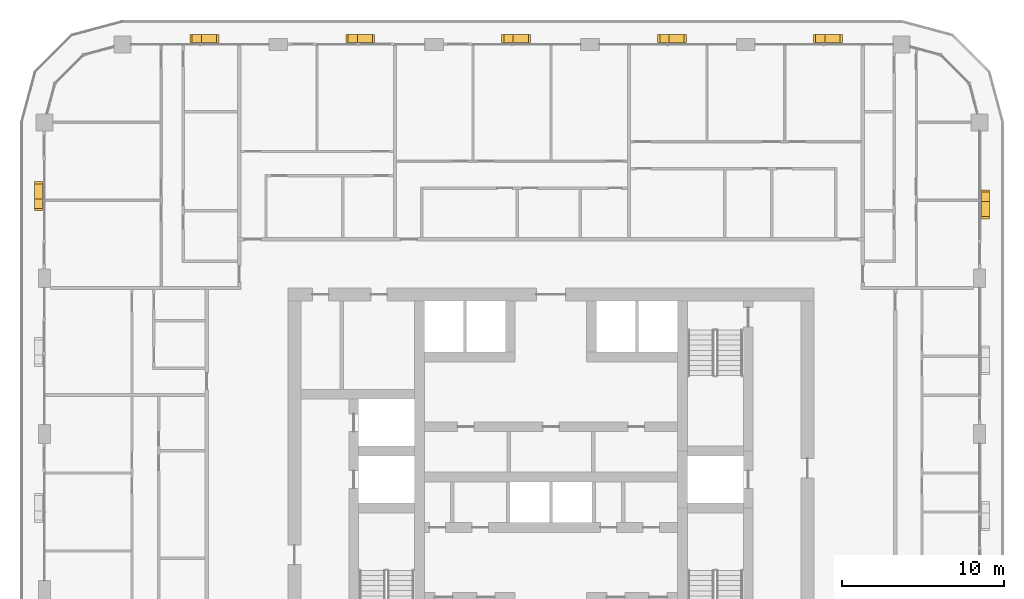
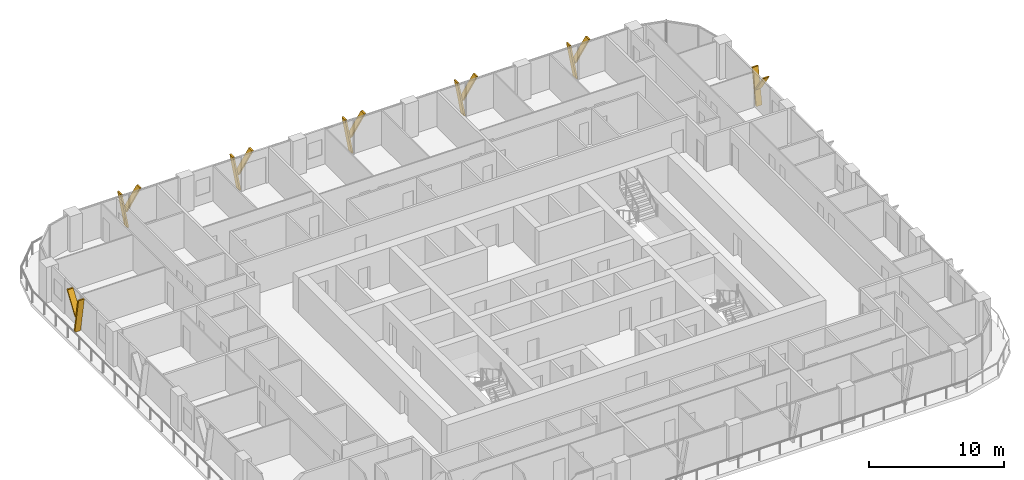
# One storey, part 23 of 23: 14 shading devices.
"""IFC4 building model written with IfcOpenShell, lengths in metres."""

from ifc_helpers import new_model, si_unit, direction, frame, origin, place, context, subcontext, project, spatial, polyline, outline, extrude, material, type_object, element, save


model = new_model("IFC4")

# Units and contexts
model_context = context("Model", 3, precision=1e-05, world=origin(), true_north=direction((0.0, 1.0)))
body_context = subcontext(model_context, "Body", "Model", "MODEL_VIEW")
ifc_project = project(units=[si_unit("LENGTHUNIT", "METRE"), si_unit("AREAUNIT", "SQUARE_METRE"), si_unit("VOLUMEUNIT", "CUBIC_METRE"), si_unit("PLANEANGLEUNIT", "RADIAN"), si_unit("MASSUNIT", "GRAM", prefix="KILO")], contexts=[model_context])

# Site, building, storey
site_placement = place(None, origin())
site = spatial("IfcSite", under=ifc_project, at=site_placement, CompositionType="ELEMENT")
building_placement = place(site_placement, origin())
building = spatial("IfcBuilding", under=site, at=building_placement, Name="Madar Terraces", CompositionType="ELEMENT")
storey_placement = place(building_placement, frame((0.0, 0.0, 133.10009765625)))
storey = spatial("IfcBuildingStorey", under=building, at=storey_placement, Name="L34", CompositionType="ELEMENT", Elevation=133.10009765625)

# Shading devices
ifc_material = material(Name="Aluminium, black anodised", Category="aluminium")
shading_device_type = type_object("IfcShadingDeviceType", Name="Facade fin blade 140 x 500", PredefinedType="USERDEFINED", material=ifc_material)
shading_device_1_placement = place(storey_placement, frame((57.949951171875, 43.1298828125, 0.0), z_axis=(0.0, 0.0, 1.0), x_axis=(0.0, 1.0, 0.0)))
element("IfcShadingDevice", 1, at=shading_device_1_placement, inside=storey, type_object=shading_device_type, Name="FIN L34 E4", ObjectType="FIN", PredefinedType="USERDEFINED", context=body_context, shape_type="SweptSolid", body=[
    extrude(outline(polyline([(0.0, 0.0), (0.14013671875, 0.0), (0.704345703125, 3.199951171875), (0.564208984375, 3.199951171875), (0.0, 0.0)])), frame((0.0, 0.25, 0.0), z_axis=(0.0, -1.0, 0.0), x_axis=(1.0, 0.0, 0.0)), (0.0, 0.0, 1.0), 0.5),
])
shading_device_2_placement = place(storey_placement, frame((57.949951171875, 43.243896484375, 1.43994140625), z_axis=(0.0, 0.0, 1.0), x_axis=(0.0, 1.0, 0.0)))
element("IfcShadingDevice", 2, at=shading_device_2_placement, inside=storey, type_object=shading_device_type, Name="FIN L34 E4 branch", ObjectType="FIN", PredefinedType="USERDEFINED", context=body_context, shape_type="SweptSolid", body=[
    extrude(outline(polyline([(0.0, 0.0), (0.139892578125, 0.0), (-1.049560546875, 1.760009765625), (-1.189697265625, 1.760009765625), (0.0, 0.0)])), frame((0.0, 0.25, 0.0), z_axis=(0.0, -1.0, 0.0), x_axis=(1.0, 0.0, 0.0)), (0.0, 0.0, 1.0), 0.5),
])
shading_device_3_placement = place(storey_placement, frame((48.070068359375, 53.14990234375, 0.0), z_axis=(0.0, 0.0, 1.0), x_axis=(-1.0, 0.0, 0.0)))
element("IfcShadingDevice", 3, at=shading_device_3_placement, inside=storey, type_object=shading_device_type, Name="FIN L34 N1", ObjectType="FIN", PredefinedType="USERDEFINED", context=body_context, shape_type="SweptSolid", body=[
    extrude(outline(polyline([(0.0, 0.0), (0.14013671875, 0.0), (0.704345703125, 3.199951171875), (0.564208984375, 3.199951171875), (0.0, 0.0)])), frame((0.0, 0.25, 0.0), z_axis=(0.0, -1.0, 0.0), x_axis=(1.0, 0.0, 0.0)), (0.0, 0.0, 1.0), 0.5),
])
shading_device_4_placement = place(storey_placement, frame((47.9560546875, 53.14990234375, 1.43994140625), z_axis=(0.0, 0.0, 1.0), x_axis=(-1.0, 0.0, 0.0)))
element("IfcShadingDevice", 4, at=shading_device_4_placement, inside=storey, type_object=shading_device_type, Name="FIN L34 N1 branch", ObjectType="FIN", PredefinedType="USERDEFINED", context=body_context, shape_type="SweptSolid", body=[
    extrude(outline(polyline([(0.0, 0.0), (0.139892578125, 0.0), (-1.049560546875, 1.760009765625), (-1.189697265625, 1.760009765625), (0.0, 0.0)])), frame((0.0, 0.25, 0.0), z_axis=(0.0, -1.0, 0.0), x_axis=(1.0, 0.0, 0.0)), (0.0, 0.0, 1.0), 0.5),
])
shading_device_5_placement = place(storey_placement, frame((38.469970703125, 53.14990234375, 0.0), z_axis=(0.0, 0.0, 1.0), x_axis=(-1.0, 0.0, 0.0)))
element("IfcShadingDevice", 5, at=shading_device_5_placement, inside=storey, type_object=shading_device_type, Name="FIN L34 N2", ObjectType="FIN", PredefinedType="USERDEFINED", context=body_context, shape_type="SweptSolid", body=[
    extrude(outline(polyline([(0.0, 0.0), (0.139892578125, 0.0), (0.704345703125, 3.199951171875), (0.564208984375, 3.199951171875), (0.0, 0.0)])), frame((0.0, 0.25, 0.0), z_axis=(0.0, -1.0, 0.0), x_axis=(1.0, 0.0, 0.0)), (0.0, 0.0, 1.0), 0.5),
])
shading_device_6_placement = place(storey_placement, frame((38.356201171875, 53.14990234375, 1.43994140625), z_axis=(0.0, 0.0, 1.0), x_axis=(-1.0, 0.0, 0.0)))
element("IfcShadingDevice", 6, at=shading_device_6_placement, inside=storey, type_object=shading_device_type, Name="FIN L34 N2 branch", ObjectType="FIN", PredefinedType="USERDEFINED", context=body_context, shape_type="SweptSolid", body=[
    extrude(outline(polyline([(0.0, 0.0), (0.14013671875, 0.0), (-1.049560546875, 1.760009765625), (-1.189697265625, 1.760009765625), (0.0, 0.0)])), frame((0.0, 0.25, 0.0), z_axis=(0.0, -1.0, 0.0), x_axis=(1.0, 0.0, 0.0)), (0.0, 0.0, 1.0), 0.5),
])
shading_device_7_placement = place(storey_placement, frame((28.8701171875, 53.14990234375, 0.0), z_axis=(0.0, 0.0, 1.0), x_axis=(-1.0, 0.0, 0.0)))
element("IfcShadingDevice", 7, at=shading_device_7_placement, inside=storey, type_object=shading_device_type, Name="FIN L34 N3", ObjectType="FIN", PredefinedType="USERDEFINED", context=body_context, shape_type="SweptSolid", body=[
    extrude(outline(polyline([(0.0, 0.0), (0.14013671875, 0.0), (0.704345703125, 3.199951171875), (0.564208984375, 3.199951171875), (0.0, 0.0)])), frame((0.0, 0.25, 0.0), z_axis=(0.0, -1.0, 0.0), x_axis=(1.0, 0.0, 0.0)), (0.0, 0.0, 1.0), 0.5),
])
shading_device_8_placement = place(storey_placement, frame((28.756103515625, 53.14990234375, 1.43994140625), z_axis=(0.0, 0.0, 1.0), x_axis=(-1.0, 0.0, 0.0)))
element("IfcShadingDevice", 8, at=shading_device_8_placement, inside=storey, type_object=shading_device_type, Name="FIN L34 N3 branch", ObjectType="FIN", PredefinedType="USERDEFINED", context=body_context, shape_type="SweptSolid", body=[
    extrude(outline(polyline([(0.0, 0.0), (0.139892578125, 0.0), (-1.049560546875, 1.760009765625), (-1.189697265625, 1.760009765625), (0.0, 0.0)])), frame((0.0, 0.25, 0.0), z_axis=(0.0, -1.0, 0.0), x_axis=(1.0, 0.0, 0.0)), (0.0, 0.0, 1.0), 0.5),
])
shading_device_9_placement = place(storey_placement, frame((19.27001953125, 53.14990234375, 0.0), z_axis=(0.0, 0.0, 1.0), x_axis=(-1.0, 0.0, 0.0)))
element("IfcShadingDevice", 9, at=shading_device_9_placement, inside=storey, type_object=shading_device_type, Name="FIN L34 N4", ObjectType="FIN", PredefinedType="USERDEFINED", context=body_context, shape_type="SweptSolid", body=[
    extrude(outline(polyline([(0.0, 0.0), (0.14013671875, 0.0), (0.704345703125, 3.199951171875), (0.564208984375, 3.199951171875), (0.0, 0.0)])), frame((0.0, 0.25, 0.0), z_axis=(0.0, -1.0, 0.0), x_axis=(1.0, 0.0, 0.0)), (0.0, 0.0, 1.0), 0.5),
])
shading_device_10_placement = place(storey_placement, frame((19.156005859375, 53.14990234375, 1.43994140625), z_axis=(0.0, 0.0, 1.0), x_axis=(-1.0, 0.0, 0.0)))
element("IfcShadingDevice", 10, at=shading_device_10_placement, inside=storey, type_object=shading_device_type, Name="FIN L34 N4 branch", ObjectType="FIN", PredefinedType="USERDEFINED", context=body_context, shape_type="SweptSolid", body=[
    extrude(outline(polyline([(0.0, 0.0), (0.139892578125, 0.0), (-1.049560546875, 1.760009765625), (-1.189697265625, 1.760009765625), (0.0, 0.0)])), frame((0.0, 0.25, 0.0), z_axis=(0.0, -1.0, 0.0), x_axis=(1.0, 0.0, 0.0)), (0.0, 0.0, 1.0), 0.5),
])
shading_device_11_placement = place(storey_placement, frame((9.669921875, 53.14990234375, 0.0), z_axis=(0.0, 0.0, 1.0), x_axis=(-1.0, 0.0, 0.0)))
element("IfcShadingDevice", 11, at=shading_device_11_placement, inside=storey, type_object=shading_device_type, Name="FIN L34 N5", ObjectType="FIN", PredefinedType="USERDEFINED", context=body_context, shape_type="SweptSolid", body=[
    extrude(outline(polyline([(0.0, 0.0), (0.139892578125, 0.0), (0.704345703125, 3.199951171875), (0.564208984375, 3.199951171875), (0.0, 0.0)])), frame((0.0, 0.25, 0.0), z_axis=(0.0, -1.0, 0.0), x_axis=(1.0, 0.0, 0.0)), (0.0, 0.0, 1.0), 0.5),
])
shading_device_12_placement = place(storey_placement, frame((9.55615234375, 53.14990234375, 1.43994140625), z_axis=(0.0, 0.0, 1.0), x_axis=(-1.0, 0.0, 0.0)))
element("IfcShadingDevice", 12, at=shading_device_12_placement, inside=storey, type_object=shading_device_type, Name="FIN L34 N5 branch", ObjectType="FIN", PredefinedType="USERDEFINED", context=body_context, shape_type="SweptSolid", body=[
    extrude(outline(polyline([(0.0, 0.0), (0.14013671875, 0.0), (-1.049560546875, 1.760009765625), (-1.189697265625, 1.760009765625), (0.0, 0.0)])), frame((0.0, 0.25, 0.0), z_axis=(0.0, -1.0, 0.0), x_axis=(1.0, 0.0, 0.0)), (0.0, 0.0, 1.0), 0.5),
])
shading_device_13_placement = place(storey_placement, frame((-0.35009765625, 43.27001953125, 0.0), z_axis=(0.0, 0.0, 1.0), x_axis=(0.0, -1.0, 0.0)))
element("IfcShadingDevice", 13, at=shading_device_13_placement, inside=storey, type_object=shading_device_type, Name="FIN L34 W1", ObjectType="FIN", PredefinedType="USERDEFINED", context=body_context, shape_type="SweptSolid", body=[
    extrude(outline(polyline([(0.0, 0.0), (0.14013671875, 0.0), (0.704345703125, 3.199951171875), (0.564208984375, 3.199951171875), (0.0, 0.0)])), frame((0.0, 0.25, 0.0), z_axis=(0.0, -1.0, 0.0), x_axis=(1.0, 0.0, 0.0)), (0.0, 0.0, 1.0), 0.5),
])
shading_device_14_placement = place(storey_placement, frame((-0.35009765625, 43.156005859375, 1.43994140625), z_axis=(0.0, 0.0, 1.0), x_axis=(0.0, -1.0, 0.0)))
element("IfcShadingDevice", 14, at=shading_device_14_placement, inside=storey, type_object=shading_device_type, Name="FIN L34 W1 branch", ObjectType="FIN", PredefinedType="USERDEFINED", context=body_context, shape_type="SweptSolid", body=[
    extrude(outline(polyline([(0.0, 0.0), (0.139892578125, 0.0), (-1.049560546875, 1.760009765625), (-1.189697265625, 1.760009765625), (0.0, 0.0)])), frame((0.0, 0.25, 0.0), z_axis=(0.0, -1.0, 0.0), x_axis=(1.0, 0.0, 0.0)), (0.0, 0.0, 1.0), 0.5),
])

save(model, "model.ifc")
